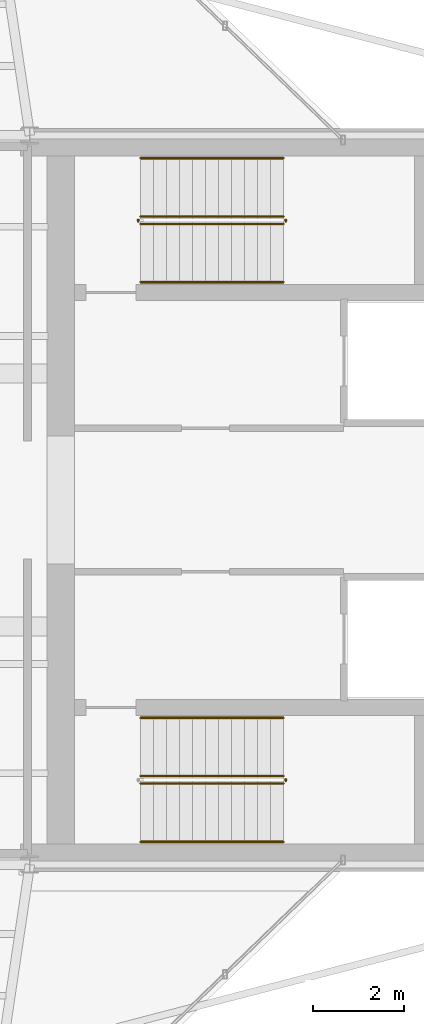
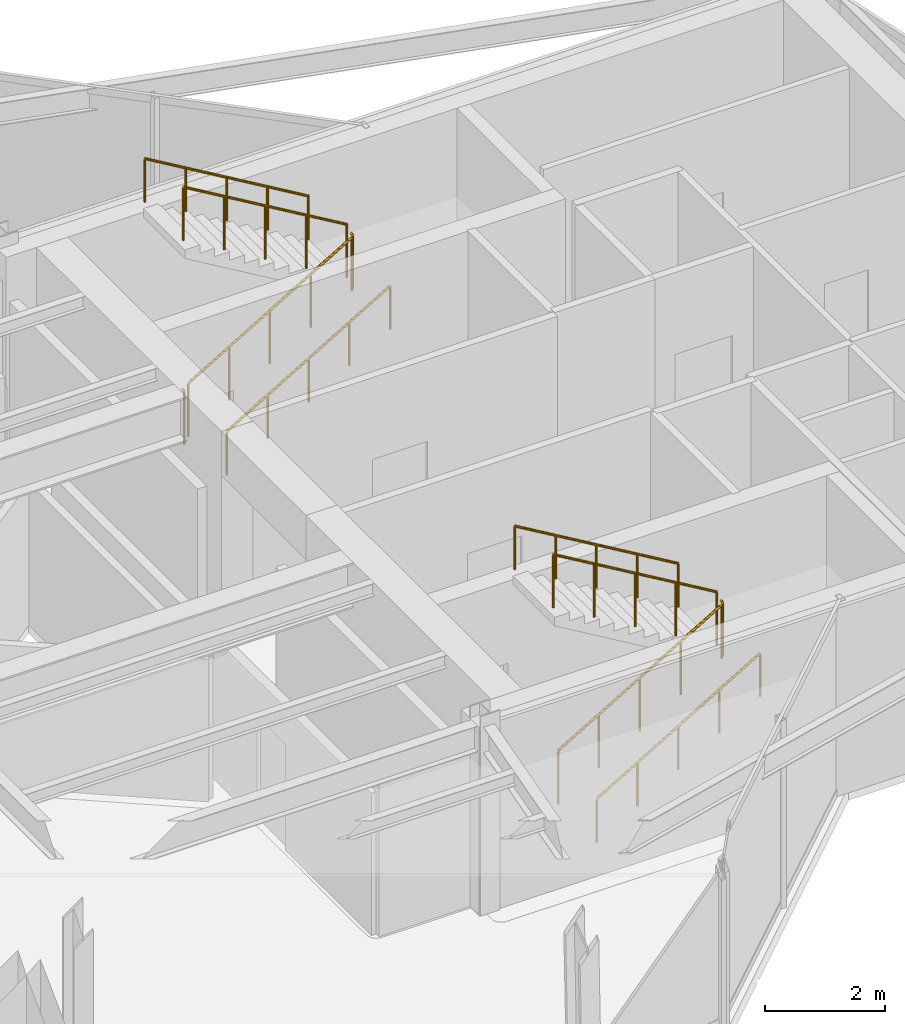
# One storey, part 18 of 18: 11 railings.
"""IFC4 building model written with IfcOpenShell, lengths in metres."""

from ifc_helpers import new_model, si_unit, direction, frame, origin, origin_2d, place, context, subcontext, project, spatial, circle, extrude, material, type_object, element, save


model = new_model("IFC4")

# Units and contexts
model_context = context("Model", 3, precision=1e-05, world=origin(), true_north=direction((0.0, 1.0)))
body_context = subcontext(model_context, "Body", "Model", "MODEL_VIEW")
ifc_project = project(units=[si_unit("LENGTHUNIT", "METRE"), si_unit("AREAUNIT", "SQUARE_METRE"), si_unit("VOLUMEUNIT", "CUBIC_METRE"), si_unit("PLANEANGLEUNIT", "RADIAN"), si_unit("MASSUNIT", "GRAM", prefix="KILO")], contexts=[model_context])

# Site, building, storey
site_placement = place(None, origin())
site = spatial("IfcSite", under=ifc_project, at=site_placement, CompositionType="ELEMENT")
building_placement = place(site_placement, origin())
building = spatial("IfcBuilding", under=site, at=building_placement, Name="Veymaron Broadcast Tower", CompositionType="ELEMENT")
storey_placement = place(building_placement, frame((0.0, 0.0, 319.5)))
storey = spatial("IfcBuildingStorey", under=building, at=storey_placement, Name="L75", CompositionType="ELEMENT", Elevation=319.5)

# Railings
ifc_material_1 = material(Name="Brushed stainless steel AISI 304", Category="steel")
railing_type_1 = type_object("IfcRailingType", Name="RAIL-STAIR-HR", PredefinedType="HANDRAIL", material=ifc_material_1)
railing_1_placement = place(storey_placement, frame((41.429931640625, 28.780029296875, 0.168701171875)))
element("IfcRailing", 1, at=railing_1_placement, inside=storey, type_object=railing_type_1, Name="L75 ST1 stair handrail 1", PredefinedType="HANDRAIL", context=body_context, shape_type="SweptSolid", body=[
    extrude(circle(Radius=0.02392578125, at=origin_2d()), frame((0.0, 0.0, 0.8759765625), z_axis=(0.860481960309, 0.0, 0.509480908359), x_axis=(0.0, 1.0, 0.0)), (0.0, 0.0, 1.0), 3.643310546875),
    extrude(circle(Radius=0.02099609375, at=origin_2d()), origin(), (0.0, 0.0, 1.0), 0.851806640625),
    extrude(circle(Radius=0.02099609375, at=origin_2d()), frame((0.78369140625, 0.0, 0.464111328125)), (0.0, 0.0, 1.0), 0.851806640625),
    extrude(circle(Radius=0.02099609375, at=origin_2d()), frame((1.5673828125, 0.0, 0.92822265625)), (0.0, 0.0, 1.0), 0.851806640625),
    extrude(circle(Radius=0.02099609375, at=origin_2d()), frame((2.351318359375, 0.0, 1.39208984375)), (0.0, 0.0, 1.0), 0.851806640625),
    extrude(circle(Radius=0.02099609375, at=origin_2d()), frame((3.135009765625, 0.0, 1.856201171875)), (0.0, 0.0, 1.0), 0.851806640625),
])
railing_2_placement = place(storey_placement, frame((44.56494140625, 31.5, 2.19384765625)))
element("IfcRailing", 2, at=railing_2_placement, inside=storey, type_object=railing_type_1, Name="L75 ST1 stair handrail 2", PredefinedType="HANDRAIL", context=body_context, shape_type="SweptSolid", body=[
    extrude(circle(Radius=0.02392578125, at=origin_2d()), frame((0.0, 0.0, 0.8759765625), z_axis=(-0.860481960309, 0.0, 0.509480908359), x_axis=(0.0, -1.0, 0.0)), (0.0, 0.0, 1.0), 3.643310546875),
    extrude(circle(Radius=0.02099609375, at=origin_2d()), origin(), (0.0, 0.0, 1.0), 0.851806640625),
    extrude(circle(Radius=0.02099609375, at=origin_2d()), frame((-0.78369140625, 0.0, 0.464111328125)), (0.0, 0.0, 1.0), 0.851806640625),
    extrude(circle(Radius=0.02099609375, at=origin_2d()), frame((-1.5673828125, 0.0, 0.92822265625)), (0.0, 0.0, 1.0), 0.851806640625),
    extrude(circle(Radius=0.02099609375, at=origin_2d()), frame((-2.351318359375, 0.0, 1.39208984375)), (0.0, 0.0, 1.0), 0.851806640625),
    extrude(circle(Radius=0.02099609375, at=origin_2d()), frame((-3.135009765625, 0.0, 1.856201171875)), (0.0, 0.0, 1.0), 0.851806640625),
])
railing_3_placement = place(storey_placement, frame((41.429931640625, 16.5, 0.168701171875)))
element("IfcRailing", 3, at=railing_3_placement, inside=storey, type_object=railing_type_1, Name="L75 ST2 stair handrail 1", PredefinedType="HANDRAIL", context=body_context, shape_type="SweptSolid", body=[
    extrude(circle(Radius=0.02392578125, at=origin_2d()), frame((0.0, 0.0, 0.8759765625), z_axis=(0.860481960309, 0.0, 0.509480908359), x_axis=(0.0, 1.0, 0.0)), (0.0, 0.0, 1.0), 3.643310546875),
    extrude(circle(Radius=0.02099609375, at=origin_2d()), origin(), (0.0, 0.0, 1.0), 0.851806640625),
    extrude(circle(Radius=0.02099609375, at=origin_2d()), frame((0.78369140625, 0.0, 0.464111328125)), (0.0, 0.0, 1.0), 0.851806640625),
    extrude(circle(Radius=0.02099609375, at=origin_2d()), frame((1.5673828125, 0.0, 0.92822265625)), (0.0, 0.0, 1.0), 0.851806640625),
    extrude(circle(Radius=0.02099609375, at=origin_2d()), frame((2.351318359375, 0.0, 1.39208984375)), (0.0, 0.0, 1.0), 0.851806640625),
    extrude(circle(Radius=0.02099609375, at=origin_2d()), frame((3.135009765625, 0.0, 1.856201171875)), (0.0, 0.0, 1.0), 0.851806640625),
])
railing_4_placement = place(storey_placement, frame((44.56494140625, 19.219970703125, 2.19384765625)))
element("IfcRailing", 4, at=railing_4_placement, inside=storey, type_object=railing_type_1, Name="L75 ST2 stair handrail 2", PredefinedType="HANDRAIL", context=body_context, shape_type="SweptSolid", body=[
    extrude(circle(Radius=0.02392578125, at=origin_2d()), frame((0.0, 0.0, 0.8759765625), z_axis=(-0.860481960309, 0.0, 0.509480908359), x_axis=(0.0, -1.0, 0.0)), (0.0, 0.0, 1.0), 3.643310546875),
    extrude(circle(Radius=0.02099609375, at=origin_2d()), origin(), (0.0, 0.0, 1.0), 0.851806640625),
    extrude(circle(Radius=0.02099609375, at=origin_2d()), frame((-0.78369140625, 0.0, 0.464111328125)), (0.0, 0.0, 1.0), 0.851806640625),
    extrude(circle(Radius=0.02099609375, at=origin_2d()), frame((-1.5673828125, 0.0, 0.92822265625)), (0.0, 0.0, 1.0), 0.851806640625),
    extrude(circle(Radius=0.02099609375, at=origin_2d()), frame((-2.351318359375, 0.0, 1.39208984375)), (0.0, 0.0, 1.0), 0.851806640625),
    extrude(circle(Radius=0.02099609375, at=origin_2d()), frame((-3.135009765625, 0.0, 1.856201171875)), (0.0, 0.0, 1.0), 0.851806640625),
])
ifc_material_2 = material(Name="Painted galvanized steel balustrade", Category="steel")
railing_type_2 = type_object("IfcRailingType", Name="RAIL-WELL-GRD", PredefinedType="GUARDRAIL", material=ifc_material_2)
railing_5_placement = place(storey_placement, frame((41.429931640625, 30.06005859375, 0.168701171875)))
element("IfcRailing", 5, at=railing_5_placement, inside=storey, type_object=railing_type_2, Name="L75 ST1 stair guard 1", PredefinedType="GUARDRAIL", context=body_context, shape_type="SweptSolid", body=[
    extrude(circle(Radius=0.02392578125, at=origin_2d()), frame((0.0, 0.0, 1.076171875), z_axis=(0.860481960309, 0.0, 0.509480908359), x_axis=(0.0, 1.0, 0.0)), (0.0, 0.0, 1.0), 3.643310546875),
    extrude(circle(Radius=0.02099609375, at=origin_2d()), origin(), (0.0, 0.0, 1.0), 1.052001953125),
    extrude(circle(Radius=0.02099609375, at=origin_2d()), frame((0.78369140625, 0.0, 0.464111328125)), (0.0, 0.0, 1.0), 1.052001953125),
    extrude(circle(Radius=0.02099609375, at=origin_2d()), frame((1.5673828125, 0.0, 0.92822265625)), (0.0, 0.0, 1.0), 1.052001953125),
    extrude(circle(Radius=0.02099609375, at=origin_2d()), frame((2.351318359375, 0.0, 1.39208984375)), (0.0, 0.0, 1.0), 1.052001953125),
    extrude(circle(Radius=0.02099609375, at=origin_2d()), frame((3.135009765625, 0.0, 1.856201171875)), (0.0, 0.0, 1.0), 1.052001953125),
])
railing_6_placement = place(storey_placement, frame((44.614990234375, 30.110107421875, 2.02490234375)))
element("IfcRailing", 6, at=railing_6_placement, inside=storey, type_object=railing_type_2, Name="L75 ST1 stair guard 2", PredefinedType="GUARDRAIL", context=body_context, shape_type="SweptSolid", body=[
    extrude(circle(Radius=0.02392578125, at=origin_2d()), frame((0.0, 0.0, 1.076171875), z_axis=(0.0, 1.0, 0.0), x_axis=(-1.0, 0.0, 0.0)), (0.0, 0.0, 1.0), 0.059814453125),
    extrude(circle(Radius=0.02099609375, at=origin_2d()), origin(), (0.0, 0.0, 1.0), 1.052001953125),
])
railing_7_placement = place(storey_placement, frame((44.56494140625, 30.219970703125, 2.19384765625)))
element("IfcRailing", 7, at=railing_7_placement, inside=storey, type_object=railing_type_2, Name="L75 ST1 stair guard 3", PredefinedType="GUARDRAIL", context=body_context, shape_type="SweptSolid", body=[
    extrude(circle(Radius=0.02392578125, at=origin_2d()), frame((0.0, 0.0, 1.076171875), z_axis=(-0.860481960309, 0.0, 0.509480908359), x_axis=(0.0, -1.0, 0.0)), (0.0, 0.0, 1.0), 3.643310546875),
    extrude(circle(Radius=0.02099609375, at=origin_2d()), origin(), (0.0, 0.0, 1.0), 1.052001953125),
    extrude(circle(Radius=0.02099609375, at=origin_2d()), frame((-0.78369140625, 0.0, 0.464111328125)), (0.0, 0.0, 1.0), 1.052001953125),
    extrude(circle(Radius=0.02099609375, at=origin_2d()), frame((-1.5673828125, 0.0, 0.92822265625)), (0.0, 0.0, 1.0), 1.052001953125),
    extrude(circle(Radius=0.02099609375, at=origin_2d()), frame((-2.351318359375, 0.0, 1.39208984375)), (0.0, 0.0, 1.0), 1.052001953125),
    extrude(circle(Radius=0.02099609375, at=origin_2d()), frame((-3.135009765625, 0.0, 1.856201171875)), (0.0, 0.0, 1.0), 1.052001953125),
])
railing_8_placement = place(storey_placement, frame((41.3798828125, 30.110107421875, 0.0)))
element("IfcRailing", 8, at=railing_8_placement, inside=storey, type_object=railing_type_2, Name="L75 ST1 stair guard 4", PredefinedType="GUARDRAIL", context=body_context, shape_type="SweptSolid", body=[
    extrude(circle(Radius=0.02392578125, at=origin_2d()), frame((0.0, 0.0, 1.076171875), z_axis=(0.0, 1.0, 0.0), x_axis=(-1.0, 0.0, 0.0)), (0.0, 0.0, 1.0), 0.059814453125),
    extrude(circle(Radius=0.02099609375, at=origin_2d()), origin(), (0.0, 0.0, 1.0), 1.052001953125),
])
railing_9_placement = place(storey_placement, frame((41.429931640625, 17.780029296875, 0.168701171875)))
element("IfcRailing", 9, at=railing_9_placement, inside=storey, type_object=railing_type_2, Name="L75 ST2 stair guard 1", PredefinedType="GUARDRAIL", context=body_context, shape_type="SweptSolid", body=[
    extrude(circle(Radius=0.02392578125, at=origin_2d()), frame((0.0, 0.0, 1.076171875), z_axis=(0.860481960309, 0.0, 0.509480908359), x_axis=(0.0, 1.0, 0.0)), (0.0, 0.0, 1.0), 3.643310546875),
    extrude(circle(Radius=0.02099609375, at=origin_2d()), origin(), (0.0, 0.0, 1.0), 1.052001953125),
    extrude(circle(Radius=0.02099609375, at=origin_2d()), frame((0.78369140625, 0.0, 0.464111328125)), (0.0, 0.0, 1.0), 1.052001953125),
    extrude(circle(Radius=0.02099609375, at=origin_2d()), frame((1.5673828125, 0.0, 0.92822265625)), (0.0, 0.0, 1.0), 1.052001953125),
    extrude(circle(Radius=0.02099609375, at=origin_2d()), frame((2.351318359375, 0.0, 1.39208984375)), (0.0, 0.0, 1.0), 1.052001953125),
    extrude(circle(Radius=0.02099609375, at=origin_2d()), frame((3.135009765625, 0.0, 1.856201171875)), (0.0, 0.0, 1.0), 1.052001953125),
])
railing_10_placement = place(storey_placement, frame((44.614990234375, 17.830078125, 2.02490234375)))
element("IfcRailing", 10, at=railing_10_placement, inside=storey, type_object=railing_type_2, Name="L75 ST2 stair guard 2", PredefinedType="GUARDRAIL", context=body_context, shape_type="SweptSolid", body=[
    extrude(circle(Radius=0.02392578125, at=origin_2d()), frame((0.0, 0.0, 1.076171875), z_axis=(0.0, 1.0, 0.0), x_axis=(-1.0, 0.0, 0.0)), (0.0, 0.0, 1.0), 0.059814453125),
    extrude(circle(Radius=0.02099609375, at=origin_2d()), origin(), (0.0, 0.0, 1.0), 1.052001953125),
])
railing_11_placement = place(storey_placement, frame((44.56494140625, 17.93994140625, 2.19384765625)))
element("IfcRailing", 11, at=railing_11_placement, inside=storey, type_object=railing_type_2, Name="L75 ST2 stair guard 3", PredefinedType="GUARDRAIL", context=body_context, shape_type="SweptSolid", body=[
    extrude(circle(Radius=0.02392578125, at=origin_2d()), frame((0.0, 0.0, 1.076171875), z_axis=(-0.860481960309, 0.0, 0.509480908359), x_axis=(0.0, -1.0, 0.0)), (0.0, 0.0, 1.0), 3.643310546875),
    extrude(circle(Radius=0.02099609375, at=origin_2d()), origin(), (0.0, 0.0, 1.0), 1.052001953125),
    extrude(circle(Radius=0.02099609375, at=origin_2d()), frame((-0.78369140625, 0.0, 0.464111328125)), (0.0, 0.0, 1.0), 1.052001953125),
    extrude(circle(Radius=0.02099609375, at=origin_2d()), frame((-1.5673828125, 0.0, 0.92822265625)), (0.0, 0.0, 1.0), 1.052001953125),
    extrude(circle(Radius=0.02099609375, at=origin_2d()), frame((-2.351318359375, 0.0, 1.39208984375)), (0.0, 0.0, 1.0), 1.052001953125),
    extrude(circle(Radius=0.02099609375, at=origin_2d()), frame((-3.135009765625, 0.0, 1.856201171875)), (0.0, 0.0, 1.0), 1.052001953125),
])

save(model, "model.ifc")
